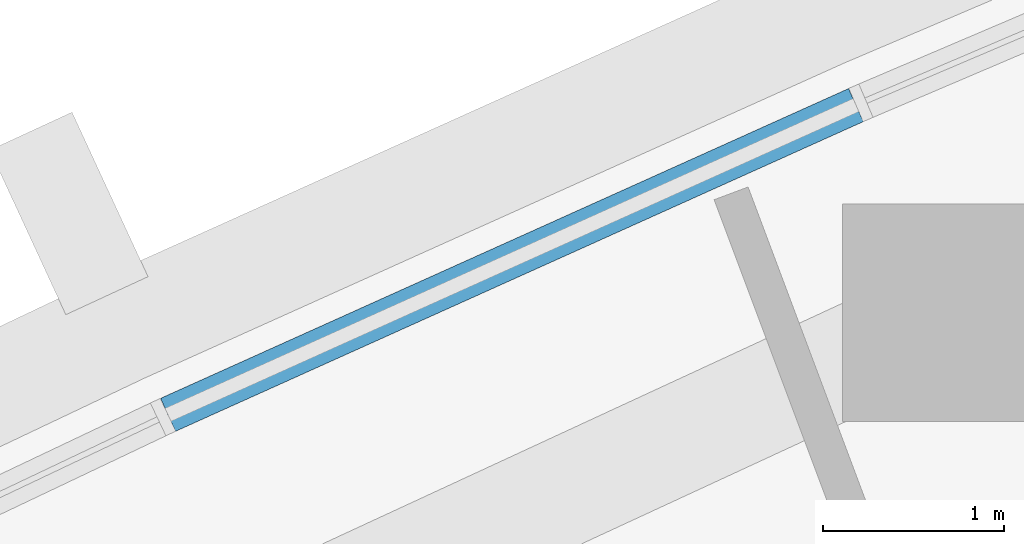
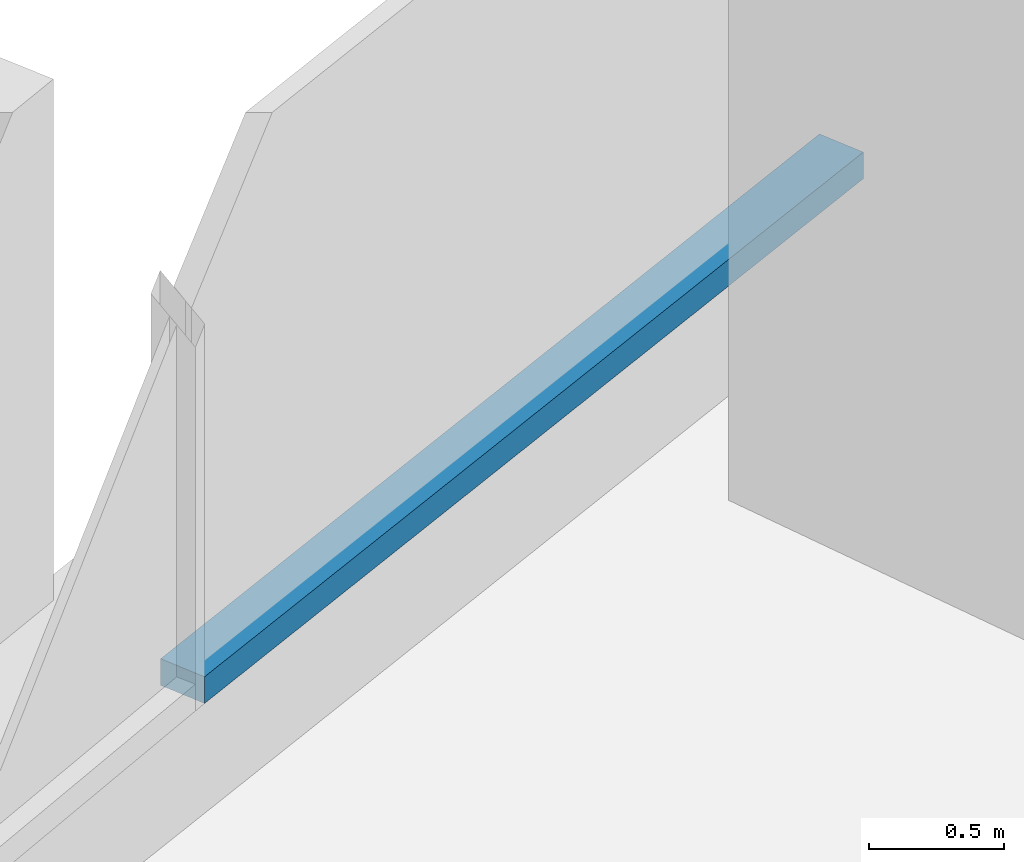
# One storey, part 3 of 15: 1 member, 1 element without a shape of its own.
"""IFC4 building model written with IfcOpenShell, lengths in metres."""

from ifc_helpers import new_model, si_unit, direction, frame, origin, origin_2d, place, context, subcontext, project, spatial, rectangle, extrude, material, layer, layer_set, material_profile, profile_set, type_object, element, aggregate, save


model = new_model("IFC4")

# Units and contexts
model_context = context("Model", 3, precision=1e-05, world=origin(), true_north=direction((0.0, 1.0)))
body_context = subcontext(model_context, "Body", "Model", "MODEL_VIEW")
ifc_project = project(units=[si_unit("LENGTHUNIT", "METRE"), si_unit("AREAUNIT", "SQUARE_METRE"), si_unit("VOLUMEUNIT", "CUBIC_METRE"), si_unit("PLANEANGLEUNIT", "RADIAN"), si_unit("MASSUNIT", "GRAM", prefix="KILO")], contexts=[model_context])

# Site, building, storey
site_placement = place(None, origin())
site = spatial("IfcSite", under=ifc_project, at=site_placement, CompositionType="ELEMENT")
building_placement = place(site_placement, origin())
building = spatial("IfcBuilding", under=site, at=building_placement, Name="Ostrand Prow Hotel Tower", CompositionType="ELEMENT")
storey_placement = place(building_placement, frame((0.0, 0.0, 235.0)))
storey = spatial("IfcBuildingStorey", under=building, at=storey_placement, Name="L59", CompositionType="ELEMENT", Elevation=235.0)

# Curtain wall, member
ifc_material_1 = material(Name="Insulated glass in bronze anodised frame", Category="glass")
ifc_layer = layer(ifc_material_1, 0.199951171875)
ifc_layer_set = layer_set([ifc_layer], Name="Insulated glass in bronze anodised frame")
curtain_wall_type = type_object("IfcCurtainWallType", Name="Strip curtain wall, fritted glass over bronze spandrel", PredefinedType="NOTDEFINED", material=ifc_layer_set)
curtain_wall_placement = place(storey_placement, origin())
curtain_wall = element("IfcCurtainWall", 1, at=curtain_wall_placement, inside=storey, type_object=curtain_wall_type, Name="CW1 run CWN5", PredefinedType="NOTDEFINED")
ifc_material_2 = material(Name="Bronze anodised aluminium", Category="aluminium")
ifc_material_profile = material_profile(ifc_material_2, rectangle(XDim=0.199951171875, YDim=0.1201171875, at=origin_2d()), Name="Transom 120x200 bronze anodised aluminium")
ifc_profile_set = profile_set([ifc_material_profile], Name="Bronze anodised aluminium")
member_type = type_object("IfcMemberType", Name="Transom 120x200 bronze anodised aluminium", PredefinedType="USERDEFINED", material=ifc_profile_set)
member_placement = place(storey_placement, frame((20.53271484375, 10.10400390625, 0.9599609375), z_axis=(-0.911832617051, -0.410562149353, 0.0), x_axis=(0.410562149353, -0.911832617051, 0.0)))
member = element("IfcMember", 2, at=member_placement, type_object=member_type, Name="CW1 transom 1.1", ObjectType="TRANSOM", PredefinedType="USERDEFINED", context=body_context, shape_type="SweptSolid", body=[
    extrude(rectangle(XDim=0.199951171875, YDim=0.1201171875, at=origin_2d()), origin(), (0.0, 0.0, 1.0), 4.163818359375),
])
aggregate(curtain_wall, [member])

save(model, "model.ifc")
